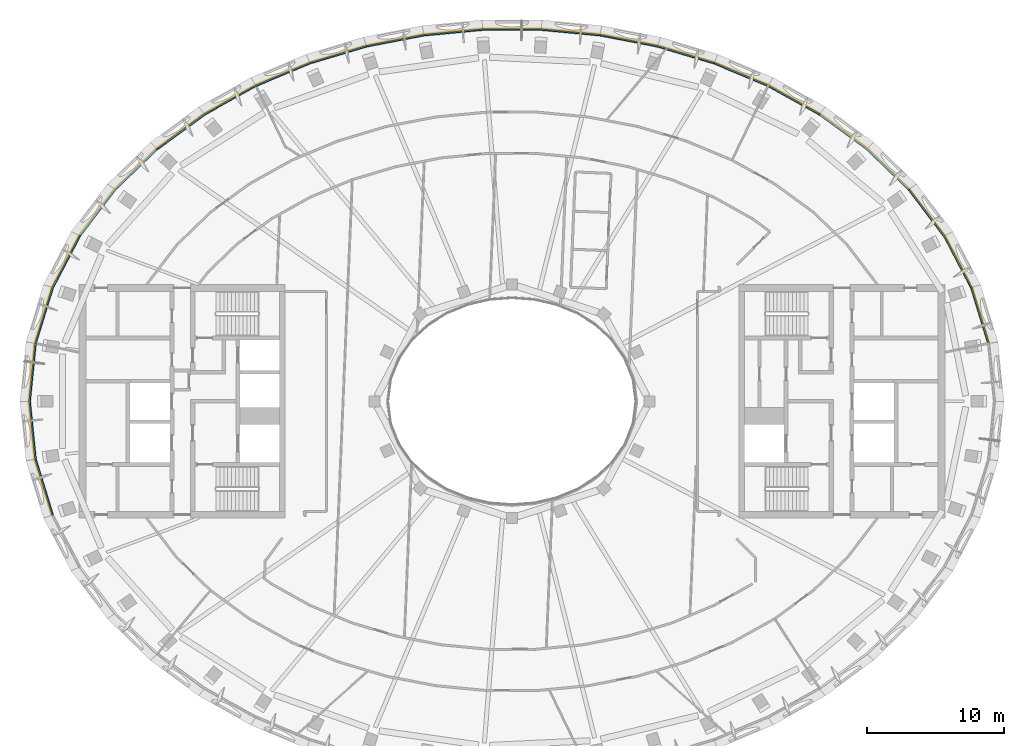
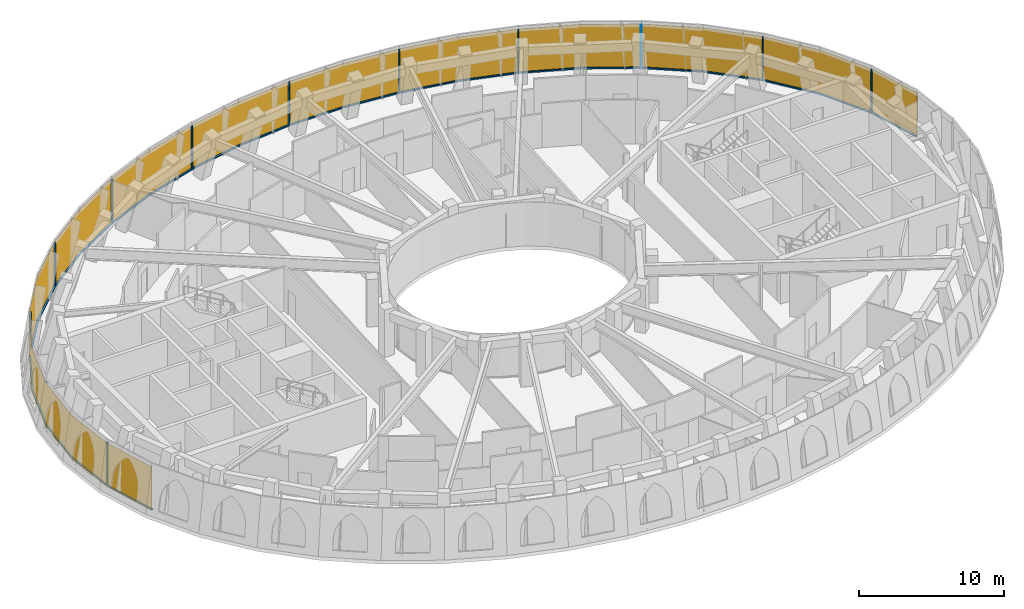
# One storey, part 10 of 14: 25 members, 1 curtain wall.
"""IFC4 building model written with IfcOpenShell, lengths in metres."""

from ifc_helpers import new_model, si_unit, direction, frame, origin, origin_2d, place, context, subcontext, project, spatial, polyline, rectangle, outline, extrude, material, layer, layer_set, material_profile, profile_set, type_object, element, aggregate, save


model = new_model("IFC4")

# Units and contexts
model_context = context("Model", 3, precision=1e-05, world=origin(), true_north=direction((0.0, 1.0)))
body_context = subcontext(model_context, "Body", "Model", "MODEL_VIEW")
ifc_project = project(units=[si_unit("LENGTHUNIT", "METRE"), si_unit("AREAUNIT", "SQUARE_METRE"), si_unit("VOLUMEUNIT", "CUBIC_METRE"), si_unit("PLANEANGLEUNIT", "RADIAN"), si_unit("MASSUNIT", "GRAM", prefix="KILO")], contexts=[model_context])

# Member
ifc_material_1 = material(Name="Aluminium 6063-T6 black anodised", Category="aluminium")
ifc_material_profile = material_profile(ifc_material_1, rectangle(XDim=0.1201171875, YDim=0.06005859375, at=origin_2d()), Name="120x60")
ifc_profile_set = profile_set([ifc_material_profile], Name="Aluminium 6063-T6 black anodised")
member_type_1 = type_object("IfcMemberType", Name="ENV-MULLION-H-120", PredefinedType="MULLION", material=ifc_profile_set)
site_placement = place(None, origin())
building_placement = place(site_placement, origin())
storey_placement = place(building_placement, frame((0.0, 0.0, 335.0)))
member_1_placement = place(storey_placement, frame((33.426513671875, 8.26708984375, 0.0), z_axis=(0.0, 0.0, 1.0), x_axis=(-0.924603540999, -0.38093082308, 0.0)))
member_1 = element("IfcMember", 1, at=member_1_placement, type_object=member_type_1, Name="Mullion H radial 03", PredefinedType="MULLION", context=body_context, shape_type="SweptSolid", body=[
    extrude(rectangle(XDim=0.1201171875, YDim=0.06005859375, at=origin_2d()), origin(), (0.0, 0.0, 1.0), 3.699951171875),
])

member_2_placement = place(storey_placement, frame((28.874267578125, 15.4072265625, 0.0), z_axis=(0.0, 0.0, 1.0), x_axis=(-0.746902899502, -0.664933123491, 0.0)))
member_2 = element("IfcMember", 2, at=member_2_placement, type_object=member_type_1, Name="Mullion H radial 05", PredefinedType="MULLION", context=body_context, shape_type="SweptSolid", body=[
    extrude(rectangle(XDim=0.1201171875, YDim=0.06005859375, at=origin_2d()), origin(), (0.0, 0.0, 1.0), 3.699951171875),
])

member_3_placement = place(storey_placement, frame((22.3681640625, 20.88330078125, 0.0), z_axis=(0.0, 0.0, 1.0), x_axis=(-0.539779232611, -0.841806616773, 0.0)))
member_3 = element("IfcMember", 3, at=member_3_placement, type_object=member_type_1, Name="Mullion H radial 07", PredefinedType="MULLION", context=body_context, shape_type="SweptSolid", body=[
    extrude(rectangle(XDim=0.1201171875, YDim=0.06005859375, at=origin_2d()), origin(), (0.0, 0.0, 1.0), 3.699951171875),
])

member_4_placement = place(storey_placement, frame((14.696044921875, 24.609619140625, 0.0), z_axis=(0.0, 0.0, 1.0), x_axis=(-0.336421967234, -0.941711346413, 0.0)))
member_4 = element("IfcMember", 4, at=member_4_placement, type_object=member_type_1, Name="Mullion H radial 09", PredefinedType="MULLION", context=body_context, shape_type="SweptSolid", body=[
    extrude(rectangle(XDim=0.1201171875, YDim=0.06005859375, at=origin_2d()), origin(), (0.0, 0.0, 1.0), 3.699951171875),
])

member_5_placement = place(storey_placement, frame((6.3994140625, 26.6455078125, 0.0), z_axis=(0.0, 0.0, 1.0), x_axis=(-0.142166513812, -0.989842756376, 0.0)))
member_5 = element("IfcMember", 5, at=member_5_placement, type_object=member_type_1, Name="Mullion H radial 11", PredefinedType="MULLION", context=body_context, shape_type="SweptSolid", body=[
    extrude(rectangle(XDim=0.1201171875, YDim=0.06005859375, at=origin_2d()), origin(), (0.0, 0.0, 1.0), 3.699951171875),
])

member_6_placement = place(storey_placement, frame((-2.1396484375, 27.04931640625, 0.0), z_axis=(0.0, 0.0, 1.0), x_axis=(0.047247925795, -0.998883193125, 0.0)))
member_6 = element("IfcMember", 6, at=member_6_placement, type_object=member_type_1, Name="Mullion H radial 13", PredefinedType="MULLION", context=body_context, shape_type="SweptSolid", body=[
    extrude(rectangle(XDim=0.1201171875, YDim=0.06005859375, at=origin_2d()), origin(), (0.0, 0.0, 1.0), 3.699951171875),
])

member_7_placement = place(storey_placement, frame((-10.599365234375, 25.83447265625, 0.0), z_axis=(0.0, 0.0, 1.0), x_axis=(0.238322723744, -0.971186016862, 0.0)))
member_7 = element("IfcMember", 7, at=member_7_placement, type_object=member_type_1, Name="Mullion H radial 15", PredefinedType="MULLION", context=body_context, shape_type="SweptSolid", body=[
    extrude(rectangle(XDim=0.1201171875, YDim=0.06005859375, at=origin_2d()), origin(), (0.0, 0.0, 1.0), 3.699951171875),
])

member_8_placement = place(storey_placement, frame((-18.63916015625, 22.96240234375, 0.0), z_axis=(0.0, 0.0, 1.0), x_axis=(0.436922279779, -0.899499261497, 0.0)))
member_8 = element("IfcMember", 8, at=member_8_placement, type_object=member_type_1, Name="Mullion H radial 17", PredefinedType="MULLION", context=body_context, shape_type="SweptSolid", body=[
    extrude(rectangle(XDim=0.1201171875, YDim=0.06005859375, at=origin_2d()), origin(), (0.0, 0.0, 1.0), 3.699951171875),
])

member_9_placement = place(storey_placement, frame((-25.809814453125, 18.364990234375, 0.0), z_axis=(0.0, 0.0, 1.0), x_axis=(0.643995047649, -0.765029658643, 0.0)))
member_9 = element("IfcMember", 9, at=member_9_placement, type_object=member_type_1, Name="Mullion H radial 19", PredefinedType="MULLION", context=body_context, shape_type="SweptSolid", body=[
    extrude(rectangle(XDim=0.1201171875, YDim=0.06005859375, at=origin_2d()), origin(), (0.0, 0.0, 1.0), 3.699951171875),
])

member_10_placement = place(storey_placement, frame((-31.45361328125, 12.0263671875, 0.0), z_axis=(0.0, 0.0, 1.0), x_axis=(0.84325450438, -0.537514502914, 0.0)))
member_10 = element("IfcMember", 10, at=member_10_placement, type_object=member_type_1, Name="Mullion H radial 21", PredefinedType="MULLION", context=body_context, shape_type="SweptSolid", body=[
    extrude(rectangle(XDim=0.1201171875, YDim=0.06005859375, at=origin_2d()), origin(), (0.0, 0.0, 1.0), 3.699951171875),
])

member_11_placement = place(storey_placement, frame((-34.672607421875, 4.214599609375, 0.0), z_axis=(0.0, 0.0, 1.0), x_axis=(0.980131647455, -0.198348061897, 0.0)))
member_11 = element("IfcMember", 11, at=member_11_placement, type_object=member_type_1, Name="Mullion H radial 23", PredefinedType="MULLION", context=body_context, shape_type="SweptSolid", body=[
    extrude(rectangle(XDim=0.1201171875, YDim=0.06005859375, at=origin_2d()), origin(), (0.0, 0.0, 1.0), 3.699951171875),
])

member_12_placement = place(storey_placement, frame((-34.672607421875, -4.214599609375, 0.0), z_axis=(0.0, 0.0, 1.0), x_axis=(0.980131647455, 0.198348061897, 0.0)))
member_12 = element("IfcMember", 12, at=member_12_placement, type_object=member_type_1, Name="Mullion H radial 25", PredefinedType="MULLION", context=body_context, shape_type="SweptSolid", body=[
    extrude(rectangle(XDim=0.1201171875, YDim=0.06005859375, at=origin_2d()), origin(), (0.0, 0.0, 1.0), 3.699951171875),
])

ifc_material_2 = material(Name="Aluminium 6063-T6 black anodised", Category="aluminium")
member_type_2 = type_object("IfcMemberType", Name="ENV-TRANSOM-H", PredefinedType="USERDEFINED", material=ifc_material_2)
member_13_placement = place(storey_placement, origin())
member_13 = element("IfcMember", 13, at=member_13_placement, type_object=member_type_2, Name="Transom H radial 02-03", ObjectType="TRANSOM", PredefinedType="USERDEFINED", context=body_context, shape_type="SweptSolid", body=[
    extrude(outline(polyline([(34.731201171875, 4.2265625), (33.489990234375, 8.262939453125), (33.378662109375, 8.217041015625), (34.613037109375, 4.20263671875), (34.731201171875, 4.2265625)])), origin(), (0.0, 0.0, 1.0), 0.10009765625),
])

member_14_placement = place(storey_placement, origin())
member_14 = element("IfcMember", 14, at=member_14_placement, type_object=member_type_2, Name="Transom H radial 03-05", ObjectType="TRANSOM", PredefinedType="USERDEFINED", context=body_context, shape_type="SweptSolid", body=[
    extrude(outline(polyline([(33.46875, 8.314697265625), (31.50390625, 12.05859375), (28.935791015625, 15.4248046875), (28.845947265625, 15.3447265625), (31.402587890625, 11.993896484375), (33.357421875, 8.268798828125), (33.46875, 8.314697265625)])), origin(), (0.0, 0.0, 1.0), 0.10009765625),
])

member_15_placement = place(storey_placement, origin())
member_15 = element("IfcMember", 15, at=member_15_placement, type_object=member_type_2, Name="Transom H radial 05-07", ObjectType="TRANSOM", PredefinedType="USERDEFINED", context=body_context, shape_type="SweptSolid", body=[
    extrude(outline(polyline([(28.898681640625, 15.466552734375), (25.848388671875, 18.410888671875), (22.423095703125, 20.917236328125), (22.358154296875, 20.816162109375), (25.77099609375, 18.31884765625), (28.808837890625, 15.386474609375), (28.898681640625, 15.466552734375)])), origin(), (0.0, 0.0, 1.0), 0.10009765625),
])

member_16_placement = place(storey_placement, origin())
member_16 = element("IfcMember", 16, at=member_16_placement, type_object=member_type_2, Name="Transom H radial 07-09", ObjectType="TRANSOM", PredefinedType="USERDEFINED", context=body_context, shape_type="SweptSolid", body=[
    extrude(outline(polyline([(22.3759765625, 20.947509765625), (18.665283203125, 23.016357421875), (14.7421875, 24.655517578125), (14.70166015625, 24.542236328125), (18.61279296875, 22.908203125), (22.31103515625, 20.84619140625), (22.3759765625, 20.947509765625)])), origin(), (0.0, 0.0, 1.0), 0.10009765625),
])

member_17_placement = place(storey_placement, origin())
member_17 = element("IfcMember", 17, at=member_17_placement, type_object=member_type_2, Name="Transom H radial 09-11", ObjectType="TRANSOM", PredefinedType="USERDEFINED", context=body_context, shape_type="SweptSolid", body=[
    extrude(outline(polyline([(14.689453125, 24.67431640625), (10.61376953125, 25.892578125), (6.435302734375, 26.69970703125), (6.418212890625, 26.580810546875), (10.585205078125, 25.77587890625), (14.649169921875, 24.56103515625), (14.689453125, 24.67431640625)])), origin(), (0.0, 0.0, 1.0), 0.10009765625),
])

member_18_placement = place(storey_placement, origin())
member_18 = element("IfcMember", 18, at=member_18_placement, type_object=member_type_2, Name="Transom H radial 11-13", ObjectType="TRANSOM", PredefinedType="USERDEFINED", context=body_context, shape_type="SweptSolid", body=[
    extrude(outline(polyline([(6.3798828125, 26.70751953125), (2.142333984375, 27.109375), (-2.114501953125, 27.109375), (-2.10888671875, 26.9892578125), (2.13671875, 26.9892578125), (6.36279296875, 26.588623046875), (6.3798828125, 26.70751953125)])), origin(), (0.0, 0.0, 1.0), 0.10009765625),
])

member_19_placement = place(storey_placement, origin())
member_19 = element("IfcMember", 19, at=member_19_placement, type_object=member_type_2, Name="Transom H radial 13-15", ObjectType="TRANSOM", PredefinedType="USERDEFINED", context=body_context, shape_type="SweptSolid", body=[
    extrude(outline(polyline([(-2.17041015625, 27.106689453125), (-6.407958984375, 26.704833984375), (-10.586181640625, 25.89794921875), (-10.5576171875, 25.78125), (-6.390869140625, 26.5859375), (-2.16455078125, 26.98681640625), (-2.17041015625, 27.106689453125)])), origin(), (0.0, 0.0, 1.0), 0.10009765625),
])

member_20_placement = place(storey_placement, origin())
member_20 = element("IfcMember", 20, at=member_20_placement, type_object=member_type_2, Name="Transom H radial 15-17", ObjectType="TRANSOM", PredefinedType="USERDEFINED", context=body_context, shape_type="SweptSolid", body=[
    extrude(outline(polyline([(-10.640625, 25.884765625), (-14.71630859375, 24.666015625), (-18.639404296875, 23.027099609375), (-18.5869140625, 22.919189453125), (-14.67578125, 24.552978515625), (-10.61181640625, 25.76806640625), (-10.640625, 25.884765625)])), origin(), (0.0, 0.0, 1.0), 0.10009765625),
])

member_21_placement = place(storey_placement, origin())
member_21 = element("IfcMember", 21, at=member_21_placement, type_object=member_type_2, Name="Transom H radial 17-19", ObjectType="TRANSOM", PredefinedType="USERDEFINED", context=body_context, shape_type="SweptSolid", body=[
    extrude(outline(polyline([(-18.689697265625, 23.002685546875), (-22.400390625, 20.933837890625), (-25.82568359375, 18.427490234375), (-25.748291015625, 18.335205078125), (-22.33544921875, 20.832763671875), (-18.63720703125, 22.894775390625), (-18.689697265625, 23.002685546875)])), origin(), (0.0, 0.0, 1.0), 0.10009765625),
])

member_22_placement = place(storey_placement, origin())
member_22 = element("IfcMember", 22, at=member_22_placement, type_object=member_type_2, Name="Transom H radial 19-21", ObjectType="TRANSOM", PredefinedType="USERDEFINED", context=body_context, shape_type="SweptSolid", body=[
    extrude(outline(polyline([(-25.868408203125, 18.391357421875), (-28.9189453125, 15.447021484375), (-31.487060546875, 12.080810546875), (-31.385498046875, 12.01611328125), (-28.8291015625, 15.3671875), (-25.791015625, 18.29931640625), (-25.868408203125, 18.391357421875)])), origin(), (0.0, 0.0, 1.0), 0.10009765625),
])

member_23_placement = place(storey_placement, origin())
member_23 = element("IfcMember", 23, at=member_23_placement, type_object=member_type_2, Name="Transom H radial 21-23", ObjectType="TRANSOM", PredefinedType="USERDEFINED", context=body_context, shape_type="SweptSolid", body=[
    extrude(outline(polyline([(-31.51708984375, 12.03369140625), (-33.481689453125, 8.289794921875), (-34.72314453125, 4.253173828125), (-34.60498046875, 4.229248046875), (-33.370361328125, 8.243896484375), (-31.41552734375, 11.968994140625), (-31.51708984375, 12.03369140625)])), origin(), (0.0, 0.0, 1.0), 0.10009765625),
])

member_24_placement = place(storey_placement, origin())
member_24 = element("IfcMember", 24, at=member_24_placement, type_object=member_type_2, Name="Transom H radial 23-25", ObjectType="TRANSOM", PredefinedType="USERDEFINED", context=body_context, shape_type="SweptSolid", body=[
    extrude(outline(polyline([(-34.734130859375, 4.198486328125), (-35.15966796875, 0.0), (-34.734130859375, -4.198486328125), (-34.615966796875, -4.1748046875), (-35.0390625, 0.0), (-34.615966796875, 4.1748046875), (-34.734130859375, 4.198486328125)])), origin(), (0.0, 0.0, 1.0), 0.10009765625),
])

member_25_placement = place(storey_placement, origin())
member_25 = element("IfcMember", 25, at=member_25_placement, type_object=member_type_2, Name="Transom H radial 25-26", ObjectType="TRANSOM", PredefinedType="USERDEFINED", context=body_context, shape_type="SweptSolid", body=[
    extrude(outline(polyline([(-34.72314453125, -4.253173828125), (-33.481689453125, -8.289794921875), (-33.370361328125, -8.243896484375), (-34.60498046875, -4.229248046875), (-34.72314453125, -4.253173828125)])), origin(), (0.0, 0.0, 1.0), 0.10009765625),
])

# Site, building, storey
site = spatial("IfcSite", under=ifc_project, at=site_placement, CompositionType="ELEMENT")
building = spatial("IfcBuilding", under=site, at=building_placement, Name="Noorbagh Ring Tower", CompositionType="ELEMENT")
storey = spatial("IfcBuildingStorey", under=building, at=storey_placement, Name="L73", CompositionType="ELEMENT", Elevation=335.0)

# Curtain wall
ifc_material_3 = material(Name="Glass dark tinted laminated", Category="glass")
ifc_layer = layer(ifc_material_3, 0.031982421875)
ifc_layer_set = layer_set([ifc_layer], Name="Glass dark tinted laminated")
curtain_wall_type = type_object("IfcCurtainWallType", Name="ENV-CW-H", PredefinedType="NOTDEFINED", material=ifc_layer_set)
curtain_wall_placement = place(storey_placement, origin())
curtain_wall = element("IfcCurtainWall", 26, at=curtain_wall_placement, inside=storey, type_object=curtain_wall_type, Name="Curtain wall H R02", PredefinedType="NOTDEFINED", context=body_context, shape_type="SweptSolid", body=[
    extrude(outline(polyline([(34.7626953125, 4.23291015625), (33.511474609375, 8.302001953125), (31.531005859375, 12.07568359375), (28.94287109375, 15.468505859375), (25.868896484375, 18.435302734375), (22.417724609375, 20.9609375), (18.67919921875, 23.04541015625), (14.72705078125, 24.6962890625), (10.621337890625, 25.923828125), (6.412353515625, 26.736572265625), (2.143798828125, 27.141357421875), (-2.143798828125, 27.141357421875), (-6.412353515625, 26.736572265625), (-10.621337890625, 25.923828125), (-14.72705078125, 24.6962890625), (-18.67919921875, 23.04541015625), (-22.417724609375, 20.9609375), (-25.868896484375, 18.435302734375), (-28.94287109375, 15.468505859375), (-31.531005859375, 12.07568359375), (-33.511474609375, 8.302001953125), (-34.7626953125, 4.23291015625), (-35.19189453125, 0.0), (-34.7626953125, -4.23291015625), (-33.511474609375, -8.302001953125), (-33.481689453125, -8.289794921875), (-34.731201171875, -4.2265625), (-35.15966796875, 0.0), (-34.731201171875, 4.2265625), (-33.481689453125, 8.289794921875), (-31.50390625, 12.05859375), (-28.9189453125, 15.447021484375), (-25.848388671875, 18.410888671875), (-22.400390625, 20.933837890625), (-18.665283203125, 23.016357421875), (-14.71630859375, 24.666015625), (-10.61376953125, 25.892578125), (-6.407958984375, 26.704833984375), (-2.142333984375, 27.109375), (2.142333984375, 27.109375), (6.407958984375, 26.704833984375), (10.61376953125, 25.892578125), (14.71630859375, 24.666015625), (18.665283203125, 23.016357421875), (22.400390625, 20.933837890625), (25.848388671875, 18.410888671875), (28.9189453125, 15.447021484375), (31.50390625, 12.05859375), (33.481689453125, 8.289794921875), (34.731201171875, 4.2265625), (34.7626953125, 4.23291015625)])), origin(), (0.0, 0.0, 1.0), 3.699951171875),
])

aggregate(curtain_wall, [member_1, member_2, member_3, member_4, member_5, member_6, member_7, member_8, member_9, member_10, member_11, member_12, member_13, member_14, member_15, member_16, member_17, member_18, member_19, member_20, member_21, member_22, member_23, member_24, member_25])

save(model, "model.ifc")
